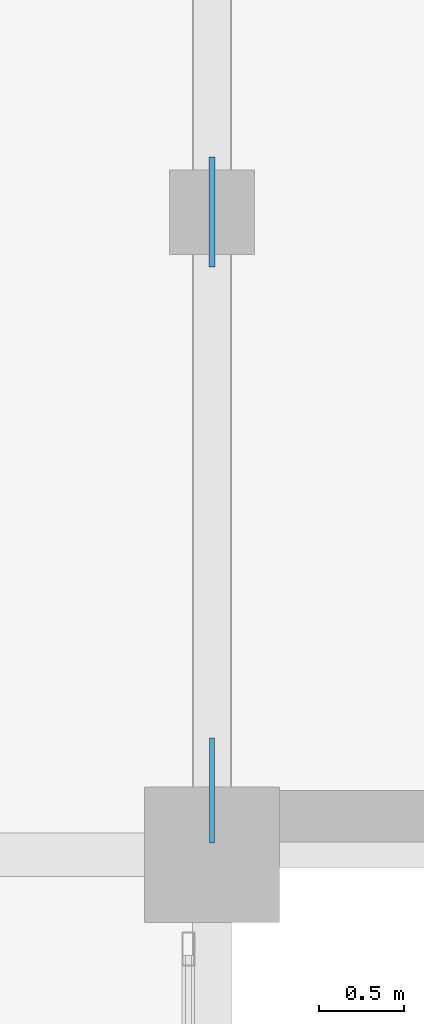
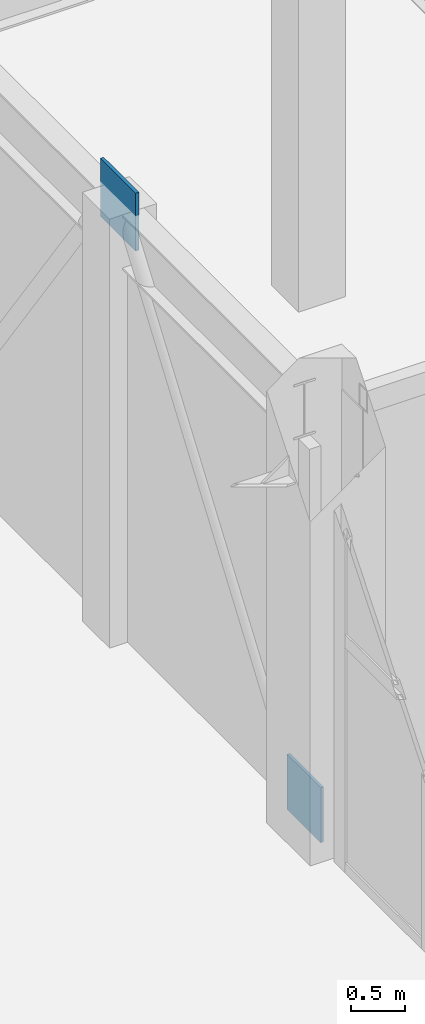
# One storey, part 108 of 128: 2 plates.
"""IFC4 building model written with IfcOpenShell, lengths in metres."""

from ifc_helpers import new_model, si_unit, direction, frame, origin, origin_2d, place, context, subcontext, project, spatial, rectangle, extrude, material, layer, layer_set, type_object, element, save


model = new_model("IFC4")

# Units and contexts
model_context = context("Model", 3, precision=1e-05, world=origin(), true_north=direction((0.0, 1.0)))
body_context = subcontext(model_context, "Body", "Model", "MODEL_VIEW")
ifc_project = project(units=[si_unit("LENGTHUNIT", "METRE"), si_unit("AREAUNIT", "SQUARE_METRE"), si_unit("VOLUMEUNIT", "CUBIC_METRE"), si_unit("PLANEANGLEUNIT", "RADIAN"), si_unit("MASSUNIT", "GRAM", prefix="KILO")], contexts=[model_context])

# Site, building, storey
site_placement = place(None, origin())
site = spatial("IfcSite", under=ifc_project, at=site_placement, CompositionType="ELEMENT")
building_placement = place(site_placement, origin())
building = spatial("IfcBuilding", under=site, at=building_placement, Name="Xicomal Pleat Aquarium", CompositionType="ELEMENT")
storey_placement = place(building_placement, frame((0.0, 0.0, 5.39990234375)))
storey = spatial("IfcBuildingStorey", under=building, at=storey_placement, Name="L02", CompositionType="ELEMENT", Elevation=5.39990234375)

# Plates
ifc_material_1 = material(Name="Structural steel A992 Gr 50", Category="steel")
ifc_layer_1 = layer(ifc_material_1, 0.030029296875)
ifc_layer_set_1 = layer_set([ifc_layer_1], Name="Structural steel A992 Gr 50")
plate_type_1 = type_object("IfcPlateType", Name="PLT-CAP-30", PredefinedType="SHEET", material=ifc_layer_set_1)
plate_1_placement = place(storey_placement, frame((94.199951171875, 38.3798828125, -0.159912109375), z_axis=(0.0, 0.0, 1.0), x_axis=(0.0, 1.0, 0.0)))
element("IfcPlate", 1, at=plate_1_placement, inside=storey, type_object=plate_type_1, Name="L02 HSS end cap plate 17", PredefinedType="SHEET", context=body_context, shape_type="SweptSolid", body=[
    extrude(rectangle(XDim=0.6201171875, YDim=0.030029296875, at=origin_2d()), origin(), (0.0, 0.0, 1.0), 0.6201171875),
])
ifc_material_2 = material(Name="Structural steel A992 Gr 50", Category="steel")
ifc_layer_2 = layer(ifc_material_2, 0.034912109375)
ifc_layer_set_2 = layer_set([ifc_layer_2], Name="Structural steel A992 Gr 50")
plate_type_2 = type_object("IfcPlateType", Name="PLT-GUS-35", PredefinedType="USERDEFINED", material=ifc_layer_set_2)
plate_2_placement = place(storey_placement, frame((94.199951171875, 41.800048828125, 4.425048828125), z_axis=(0.0, 0.0, 1.0), x_axis=(0.0, 1.0, 0.0)))
element("IfcPlate", 2, at=plate_2_placement, inside=storey, type_object=plate_type_2, Name="L02 chevron gusset node plate 17", ObjectType="GUSSET PLATE", PredefinedType="USERDEFINED", context=body_context, shape_type="SweptSolid", body=[
    extrude(rectangle(XDim=0.64990234375, YDim=0.034912109375, at=origin_2d()), origin(), (0.0, 0.0, 1.0), 0.64990234375),
])

save(model, "model.ifc")
